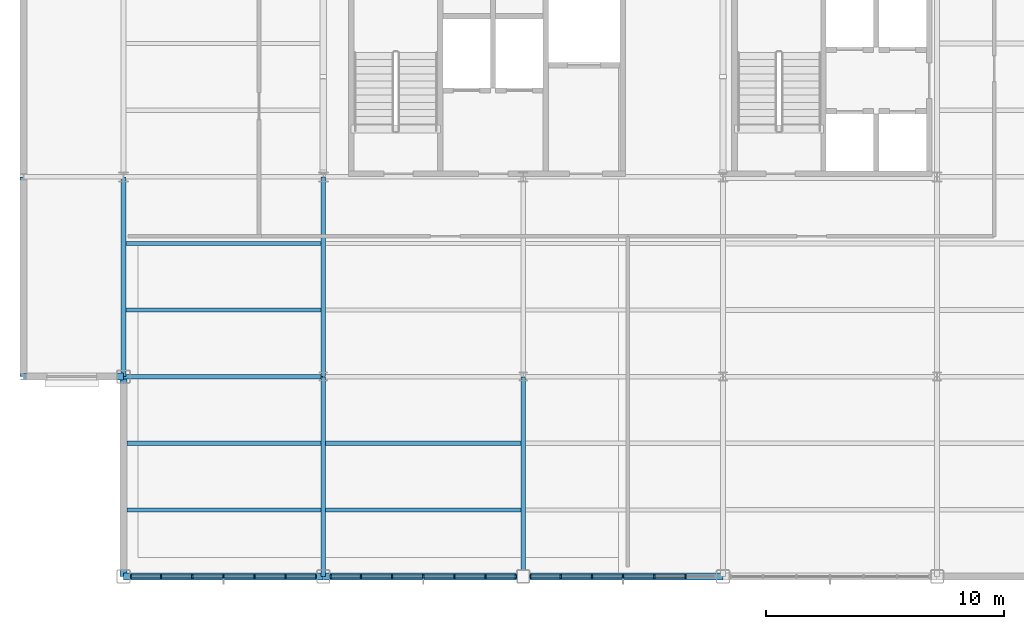
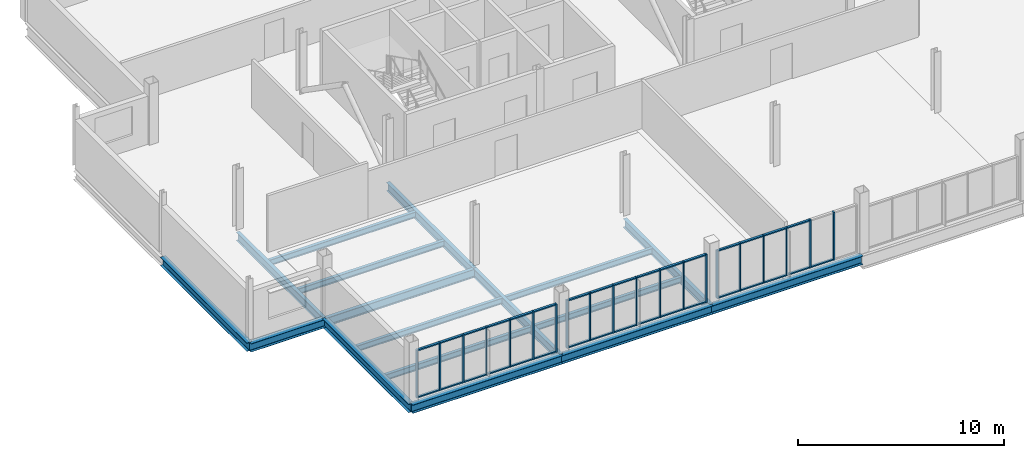
# One storey, part 5 of 18: 53 members, 17 beams, 3 elements without a shape of their own.
"""IFC4 building model written with IfcOpenShell, lengths in metres."""

from ifc_helpers import new_model, si_unit, direction, frame, origin, origin_2d, place, context, subcontext, project, spatial, rectangle, i_section, extrude, material, layer, layer_set, material_profile, profile_set, type_object, element, aggregate, save


model = new_model("IFC4")

# Units and contexts
model_context = context("Model", 3, precision=1e-05, world=origin(), true_north=direction((0.0, 1.0)))
body_context = subcontext(model_context, "Body", "Model", "MODEL_VIEW")
ifc_project = project(units=[si_unit("LENGTHUNIT", "METRE"), si_unit("AREAUNIT", "SQUARE_METRE"), si_unit("VOLUMEUNIT", "CUBIC_METRE"), si_unit("PLANEANGLEUNIT", "RADIAN"), si_unit("MASSUNIT", "GRAM", prefix="KILO")], contexts=[model_context])

# Site, building, storey
site_placement = place(None, origin())
site = spatial("IfcSite", under=ifc_project, at=site_placement, CompositionType="ELEMENT")
building_placement = place(site_placement, origin())
building = spatial("IfcBuilding", under=site, at=building_placement, Name="Yukiwa Park Conservatory and Herbarium", CompositionType="ELEMENT")
storey_placement = place(building_placement, frame((0.0, 0.0, 24.60009765625)))
storey = spatial("IfcBuildingStorey", under=building, at=storey_placement, Name="L06", CompositionType="ELEMENT", Elevation=24.60009765625)

# Beams
ifc_material_1 = material(Name="Steel Q355D", Category="steel")
ifc_material_profile_1 = material_profile(ifc_material_1, i_section(OverallWidth=0.198974609375, OverallDepth=0.49609375, WebThickness=0.009033203125, FlangeThickness=0.013916015625, FilletRadius=0.02001953125, at=origin_2d()), Name="HN 496x199x9x14")
ifc_profile_set_1 = profile_set([ifc_material_profile_1], Name="Steel Q355D")
beam_type_1 = type_object("IfcBeamType", Name="BM-GRD-HN496", PredefinedType="BEAM", material=ifc_profile_set_1)
beam_1_placement = place(storey_placement, frame((124.805908203125, 86.39990234375, -0.498046875), z_axis=(1.0, 0.0, 0.0), x_axis=(0.0, 1.0, 0.0)))
element("IfcBeam", 1, at=beam_1_placement, inside=storey, type_object=beam_type_1, Name="L06 grid beam X-7", PredefinedType="BEAM", context=body_context, shape_type="SweptSolid", body=[
    extrude(i_section(OverallWidth=0.198974609375, OverallDepth=0.49609375, WebThickness=0.009033203125, FlangeThickness=0.013916015625, FilletRadius=0.02001953125, at=origin_2d()), origin(), (0.0, 0.0, 1.0), 8.38818359375),
])
ifc_material_2 = material(Name="Steel Q355D", Category="steel")
ifc_material_profile_2 = material_profile(ifc_material_2, i_section(OverallWidth=0.199951171875, OverallDepth=0.5, WebThickness=0.010009765625, FlangeThickness=0.01611328125, FilletRadius=0.02001953125, at=origin_2d()), Name="HN 500x200x10x16")
ifc_profile_set_2 = profile_set([ifc_material_profile_2], Name="Steel Q355D")
beam_type_2 = type_object("IfcBeamType", Name="BM-GRD-HN500", PredefinedType="BEAM", material=ifc_profile_set_2)
for number, where, z_axis, x_axis, name in (
    (2, (124.800048828125, 86.406005859375, -0.5), (0.0, 1.0, 0.0), (-1.0, 0.0, 0.0), "L06 grid girder Y-32"),
    (3, (133.199951171875, 78.006103515625, -0.5), (0.0, 1.0, 0.0), (-1.0, 0.0, 0.0), "L06 grid girder Y-35"),
    (4, (133.199951171875, 86.406005859375, -0.5), (0.0, 1.0, 0.0), (-1.0, 0.0, 0.0), "L06 grid girder Y-36"),
    (5, (141.60009765625, 78.006103515625, -0.5), (0.0, 1.0, 0.0), (-1.0, 0.0, 0.0), "L06 grid girder Y-39"),
):
    element("IfcBeam", number, at=place(storey_placement, frame(where, z_axis=z_axis, x_axis=x_axis)), inside=storey, type_object=beam_type_2, Name=name, PredefinedType="BEAM", context=body_context, shape_type="SweptSolid", body=[
        extrude(i_section(OverallWidth=0.199951171875, OverallDepth=0.5, WebThickness=0.010009765625, FlangeThickness=0.01611328125, FilletRadius=0.02001953125, at=origin_2d()), origin(), (0.0, 0.0, 1.0), 8.387939453125),
    ])
ifc_material_3 = material(Name="Steel Q355D", Category="steel")
ifc_material_profile_3 = material_profile(ifc_material_3, i_section(OverallWidth=0.174072265625, OverallDepth=0.345947265625, WebThickness=0.006103515625, FlangeThickness=0.009033203125, FilletRadius=0.013916015625, at=origin_2d()), Name="HN 346x174x6x9")
ifc_profile_set_3 = profile_set([ifc_material_profile_3], Name="Steel Q355D")
beam_type_3 = type_object("IfcBeamType", Name="BM-JST-HN346", PredefinedType="JOIST", material=ifc_profile_set_3)
for number, where, z_axis, x_axis, name in (
    (6, (124.946044921875, 80.800048828125, -0.423095703125), (1.0, 0.0, 0.0), (0.0, 1.0, 0.0), "L06 composite floor joist 1"),
    (7, (124.946044921875, 83.60009765625, -0.423095703125), (1.0, 0.0, 0.0), (0.0, 1.0, 0.0), "L06 composite floor joist 2"),
):
    element("IfcBeam", number, at=place(storey_placement, frame(where, z_axis=z_axis, x_axis=x_axis)), inside=storey, type_object=beam_type_3, Name=name, PredefinedType="JOIST", context=body_context, shape_type="SweptSolid", body=[
        extrude(i_section(OverallWidth=0.174072265625, OverallDepth=0.345947265625, WebThickness=0.006103515625, FlangeThickness=0.009033203125, FilletRadius=0.013916015625, at=origin_2d()), origin(), (0.0, 0.0, 1.0), 8.157958984375),
    ])
for number, where, z_axis, x_axis, name in (
    (8, (124.89599609375, 89.199951171875, -0.423095703125), (1.0, 0.0, 0.0), (0.0, 1.0, 0.0), "L06 composite floor joist 3"),
    (9, (124.89599609375, 92.0, -0.423095703125), (1.0, 0.0, 0.0), (0.0, 1.0, 0.0), "L06 composite floor joist 4"),
    (10, (133.2958984375, 80.800048828125, -0.423095703125), (1.0, 0.0, 0.0), (0.0, 1.0, 0.0), "L06 composite floor joist 9"),
    (11, (133.2958984375, 83.60009765625, -0.423095703125), (1.0, 0.0, 0.0), (0.0, 1.0, 0.0), "L06 composite floor joist 10"),
):
    element("IfcBeam", number, at=place(storey_placement, frame(where, z_axis=z_axis, x_axis=x_axis)), inside=storey, type_object=beam_type_3, Name=name, PredefinedType="JOIST", context=body_context, shape_type="SweptSolid", body=[
        extrude(i_section(OverallWidth=0.174072265625, OverallDepth=0.345947265625, WebThickness=0.006103515625, FlangeThickness=0.009033203125, FilletRadius=0.013916015625, at=origin_2d()), origin(), (0.0, 0.0, 1.0), 8.2080078125),
    ])
ifc_material_4 = material(Name="Steel Q355D", Category="steel")
ifc_material_profile_4 = material_profile(ifc_material_4, i_section(OverallWidth=0.300048828125, OverallDepth=0.493896484375, WebThickness=0.010986328125, FlangeThickness=0.014892578125, FilletRadius=0.02392578125, at=origin_2d()), Name="HM 494x300x11x15")
ifc_profile_set_4 = profile_set([ifc_material_profile_4], Name="Steel Q355D")
beam_type_4 = type_object("IfcBeamType", Name="BM-SPN-HN450", PredefinedType="SPANDREL", material=ifc_profile_set_4)
beam_2_placement = place(storey_placement, frame((120.60595703125, 86.39990234375, -0.4970703125), z_axis=(1.0, 0.0, 0.0), x_axis=(0.0, 1.0, 0.0)))
element("IfcBeam", 12, at=beam_2_placement, inside=storey, type_object=beam_type_4, Name="L06 spandrel beam X-6", PredefinedType="SPANDREL", context=body_context, shape_type="SweptSolid", body=[
    extrude(i_section(OverallWidth=0.300048828125, OverallDepth=0.493896484375, WebThickness=0.010986328125, FlangeThickness=0.014892578125, FilletRadius=0.02392578125, at=origin_2d()), origin(), (0.0, 0.0, 1.0), 4.18798828125),
])
ifc_material_5 = material(Name="Steel Q355D", Category="steel")
ifc_material_profile_5 = material_profile(ifc_material_5, i_section(OverallWidth=0.300048828125, OverallDepth=0.5, WebThickness=0.010986328125, FlangeThickness=0.01806640625, FilletRadius=0.02392578125, at=origin_2d()), Name="HM 500x300x11x18")
ifc_profile_set_5 = profile_set([ifc_material_profile_5], Name="Steel Q355D")
beam_type_5 = type_object("IfcBeamType", Name="BM-SPN-HN500", PredefinedType="SPANDREL", material=ifc_profile_set_5)
beam_3_placement = place(storey_placement, frame((124.805908203125, 78.0, -0.5), z_axis=(1.0, 0.0, 0.0), x_axis=(0.0, 1.0, 0.0)))
element("IfcBeam", 13, at=beam_3_placement, inside=storey, type_object=beam_type_5, Name="L06 spandrel beam X-1", PredefinedType="SPANDREL", context=body_context, shape_type="SweptSolid", body=[
    extrude(i_section(OverallWidth=0.300048828125, OverallDepth=0.5, WebThickness=0.010986328125, FlangeThickness=0.01806640625, FilletRadius=0.02392578125, at=origin_2d()), origin(), (0.0, 0.0, 1.0), 8.38818359375),
])
for number, where, z_axis, x_axis, name in (
    (14, (133.2060546875, 78.0, -0.5), (1.0, 0.0, 0.0), (0.0, 1.0, 0.0), "L06 spandrel beam X-2"),
    (15, (141.60595703125, 78.0, -0.5), (1.0, 0.0, 0.0), (0.0, 1.0, 0.0), "L06 spandrel beam X-3"),
    (16, (120.60009765625, 86.406005859375, -0.5), (0.0, 1.0, 0.0), (-1.0, 0.0, 0.0), "L06 spandrel girder Y-29"),
    (17, (124.800048828125, 78.006103515625, -0.5), (0.0, 1.0, 0.0), (-1.0, 0.0, 0.0), "L06 spandrel girder Y-31"),
):
    element("IfcBeam", number, at=place(storey_placement, frame(where, z_axis=z_axis, x_axis=x_axis)), inside=storey, type_object=beam_type_5, Name=name, PredefinedType="SPANDREL", context=body_context, shape_type="SweptSolid", body=[
        extrude(i_section(OverallWidth=0.300048828125, OverallDepth=0.5, WebThickness=0.010986328125, FlangeThickness=0.01806640625, FilletRadius=0.02392578125, at=origin_2d()), origin(), (0.0, 0.0, 1.0), 8.387939453125),
    ])

# Curtain wall, members
ifc_material_6 = material(Name="Triple Low-E Insulated Glass", Category="glass")
ifc_layer = layer(ifc_material_6, 0.248046875)
ifc_layer_set = layer_set([ifc_layer], Name="Triple Low-E Insulated Glass")
curtain_wall_type = type_object("IfcCurtainWallType", Name="CW-TOWER-LAB-S-1400", PredefinedType="NOTDEFINED", material=ifc_layer_set)
curtain_wall_1_placement = place(storey_placement, origin())
curtain_wall_1 = element("IfcCurtainWall", 18, at=curtain_wall_1_placement, inside=storey, type_object=curtain_wall_type, Name="L06 unitised curtain wall CW-L06-082", PredefinedType="NOTDEFINED")
ifc_material_7 = material(Name="Anodised Aluminium", Category="aluminium")
member_type_1 = type_object("IfcMemberType", Name="MB-CW-MUL-70X150", PredefinedType="MULLION", material=ifc_material_7)
member_1_placement = place(storey_placement, frame((125.110107421875, 78.0, 0.0), z_axis=(0.0, 0.0, 1.0), x_axis=(1.0, 0.0, 0.0)))
member_1 = element("IfcMember", 19, at=member_1_placement, type_object=member_type_1, Name="CW-L06-082 mullion 1", PredefinedType="MULLION", context=body_context, shape_type="SweptSolid", body=[
    extrude(rectangle(XDim=0.070068359375, YDim=0.14990234375, at=origin_2d()), origin(), (0.0, 0.0, 1.0), 2.844970703125),
])
member_2_placement = place(storey_placement, frame((126.38330078125, 78.0, 0.0), z_axis=(0.0, 0.0, 1.0), x_axis=(1.0, 0.0, 0.0)))
member_2 = element("IfcMember", 20, at=member_2_placement, type_object=member_type_1, Name="CW-L06-082 mullion 2", PredefinedType="MULLION", context=body_context, shape_type="SweptSolid", body=[
    extrude(rectangle(XDim=0.070068359375, YDim=0.14990234375, at=origin_2d()), origin(), (0.0, 0.0, 1.0), 2.844970703125),
])
member_3_placement = place(storey_placement, frame((127.691650390625, 78.0, 0.0), z_axis=(0.0, 0.0, 1.0), x_axis=(1.0, 0.0, 0.0)))
member_3 = element("IfcMember", 21, at=member_3_placement, type_object=member_type_1, Name="CW-L06-082 mullion 3", PredefinedType="MULLION", context=body_context, shape_type="SweptSolid", body=[
    extrude(rectangle(XDim=0.070068359375, YDim=0.14990234375, at=origin_2d()), origin(), (0.0, 0.0, 1.0), 2.844970703125),
])
member_4_placement = place(storey_placement, frame((129.0, 78.0, 0.0), z_axis=(0.0, 0.0, 1.0), x_axis=(1.0, 0.0, 0.0)))
member_4 = element("IfcMember", 22, at=member_4_placement, type_object=member_type_1, Name="CW-L06-082 mullion 4", PredefinedType="MULLION", context=body_context, shape_type="SweptSolid", body=[
    extrude(rectangle(XDim=0.070068359375, YDim=0.14990234375, at=origin_2d()), origin(), (0.0, 0.0, 1.0), 2.844970703125),
])
member_5_placement = place(storey_placement, frame((130.308349609375, 78.0, 0.0), z_axis=(0.0, 0.0, 1.0), x_axis=(1.0, 0.0, 0.0)))
member_5 = element("IfcMember", 23, at=member_5_placement, type_object=member_type_1, Name="CW-L06-082 mullion 5", PredefinedType="MULLION", context=body_context, shape_type="SweptSolid", body=[
    extrude(rectangle(XDim=0.070068359375, YDim=0.14990234375, at=origin_2d()), origin(), (0.0, 0.0, 1.0), 2.844970703125),
])
member_6_placement = place(storey_placement, frame((131.61669921875, 78.0, 0.0), z_axis=(0.0, 0.0, 1.0), x_axis=(1.0, 0.0, 0.0)))
member_6 = element("IfcMember", 24, at=member_6_placement, type_object=member_type_1, Name="CW-L06-082 mullion 6", PredefinedType="MULLION", context=body_context, shape_type="SweptSolid", body=[
    extrude(rectangle(XDim=0.070068359375, YDim=0.14990234375, at=origin_2d()), origin(), (0.0, 0.0, 1.0), 2.844970703125),
])
member_7_placement = place(storey_placement, frame((132.889892578125, 78.0, 0.0), z_axis=(0.0, 0.0, 1.0), x_axis=(1.0, 0.0, 0.0)))
member_7 = element("IfcMember", 25, at=member_7_placement, type_object=member_type_1, Name="CW-L06-082 mullion 7", PredefinedType="MULLION", context=body_context, shape_type="SweptSolid", body=[
    extrude(rectangle(XDim=0.070068359375, YDim=0.14990234375, at=origin_2d()), origin(), (0.0, 0.0, 1.0), 2.844970703125),
])

curtain_wall_2_placement = place(storey_placement, origin())
curtain_wall_2 = element("IfcCurtainWall", 26, at=curtain_wall_2_placement, inside=storey, type_object=curtain_wall_type, Name="L06 unitised curtain wall CW-L06-083", PredefinedType="NOTDEFINED")
member_8_placement = place(storey_placement, frame((133.510009765625, 78.0, 0.0), z_axis=(0.0, 0.0, 1.0), x_axis=(1.0, 0.0, 0.0)))
member_8 = element("IfcMember", 27, at=member_8_placement, type_object=member_type_1, Name="CW-L06-083 mullion 1", PredefinedType="MULLION", context=body_context, shape_type="SweptSolid", body=[
    extrude(rectangle(XDim=0.070068359375, YDim=0.14990234375, at=origin_2d()), origin(), (0.0, 0.0, 1.0), 2.844970703125),
])
member_9_placement = place(storey_placement, frame((134.783203125, 78.0, 0.0), z_axis=(0.0, 0.0, 1.0), x_axis=(1.0, 0.0, 0.0)))
member_9 = element("IfcMember", 28, at=member_9_placement, type_object=member_type_1, Name="CW-L06-083 mullion 2", PredefinedType="MULLION", context=body_context, shape_type="SweptSolid", body=[
    extrude(rectangle(XDim=0.070068359375, YDim=0.14990234375, at=origin_2d()), origin(), (0.0, 0.0, 1.0), 2.844970703125),
])
member_10_placement = place(storey_placement, frame((136.091796875, 78.0, 0.0), z_axis=(0.0, 0.0, 1.0), x_axis=(1.0, 0.0, 0.0)))
member_10 = element("IfcMember", 29, at=member_10_placement, type_object=member_type_1, Name="CW-L06-083 mullion 3", PredefinedType="MULLION", context=body_context, shape_type="SweptSolid", body=[
    extrude(rectangle(XDim=0.070068359375, YDim=0.14990234375, at=origin_2d()), origin(), (0.0, 0.0, 1.0), 2.844970703125),
])
member_11_placement = place(storey_placement, frame((137.39990234375, 78.0, 0.0), z_axis=(0.0, 0.0, 1.0), x_axis=(1.0, 0.0, 0.0)))
member_11 = element("IfcMember", 30, at=member_11_placement, type_object=member_type_1, Name="CW-L06-083 mullion 4", PredefinedType="MULLION", context=body_context, shape_type="SweptSolid", body=[
    extrude(rectangle(XDim=0.070068359375, YDim=0.14990234375, at=origin_2d()), origin(), (0.0, 0.0, 1.0), 2.844970703125),
])
member_12_placement = place(storey_placement, frame((138.708251953125, 78.0, 0.0), z_axis=(0.0, 0.0, 1.0), x_axis=(1.0, 0.0, 0.0)))
member_12 = element("IfcMember", 31, at=member_12_placement, type_object=member_type_1, Name="CW-L06-083 mullion 5", PredefinedType="MULLION", context=body_context, shape_type="SweptSolid", body=[
    extrude(rectangle(XDim=0.070068359375, YDim=0.14990234375, at=origin_2d()), origin(), (0.0, 0.0, 1.0), 2.844970703125),
])
member_13_placement = place(storey_placement, frame((140.0166015625, 78.0, 0.0), z_axis=(0.0, 0.0, 1.0), x_axis=(1.0, 0.0, 0.0)))
member_13 = element("IfcMember", 32, at=member_13_placement, type_object=member_type_1, Name="CW-L06-083 mullion 6", PredefinedType="MULLION", context=body_context, shape_type="SweptSolid", body=[
    extrude(rectangle(XDim=0.070068359375, YDim=0.14990234375, at=origin_2d()), origin(), (0.0, 0.0, 1.0), 2.844970703125),
])
member_14_placement = place(storey_placement, frame((141.2900390625, 78.0, 0.0), z_axis=(0.0, 0.0, 1.0), x_axis=(1.0, 0.0, 0.0)))
member_14 = element("IfcMember", 33, at=member_14_placement, type_object=member_type_1, Name="CW-L06-083 mullion 7", PredefinedType="MULLION", context=body_context, shape_type="SweptSolid", body=[
    extrude(rectangle(XDim=0.070068359375, YDim=0.14990234375, at=origin_2d()), origin(), (0.0, 0.0, 1.0), 2.844970703125),
])

curtain_wall_3_placement = place(storey_placement, origin())
curtain_wall_3 = element("IfcCurtainWall", 34, at=curtain_wall_3_placement, inside=storey, type_object=curtain_wall_type, Name="L06 unitised curtain wall CW-L06-084", PredefinedType="NOTDEFINED")
member_15_placement = place(storey_placement, frame((141.909912109375, 78.0, 0.0), z_axis=(0.0, 0.0, 1.0), x_axis=(1.0, 0.0, 0.0)))
member_15 = element("IfcMember", 35, at=member_15_placement, type_object=member_type_1, Name="CW-L06-084 mullion 1", PredefinedType="MULLION", context=body_context, shape_type="SweptSolid", body=[
    extrude(rectangle(XDim=0.070068359375, YDim=0.14990234375, at=origin_2d()), origin(), (0.0, 0.0, 1.0), 2.844970703125),
])
member_16_placement = place(storey_placement, frame((143.183349609375, 78.0, 0.0), z_axis=(0.0, 0.0, 1.0), x_axis=(1.0, 0.0, 0.0)))
member_16 = element("IfcMember", 36, at=member_16_placement, type_object=member_type_1, Name="CW-L06-084 mullion 2", PredefinedType="MULLION", context=body_context, shape_type="SweptSolid", body=[
    extrude(rectangle(XDim=0.070068359375, YDim=0.14990234375, at=origin_2d()), origin(), (0.0, 0.0, 1.0), 2.844970703125),
])
member_17_placement = place(storey_placement, frame((144.49169921875, 78.0, 0.0), z_axis=(0.0, 0.0, 1.0), x_axis=(1.0, 0.0, 0.0)))
member_17 = element("IfcMember", 37, at=member_17_placement, type_object=member_type_1, Name="CW-L06-084 mullion 3", PredefinedType="MULLION", context=body_context, shape_type="SweptSolid", body=[
    extrude(rectangle(XDim=0.070068359375, YDim=0.14990234375, at=origin_2d()), origin(), (0.0, 0.0, 1.0), 2.844970703125),
])
member_18_placement = place(storey_placement, frame((145.800048828125, 78.0, 0.0), z_axis=(0.0, 0.0, 1.0), x_axis=(1.0, 0.0, 0.0)))
member_18 = element("IfcMember", 38, at=member_18_placement, type_object=member_type_1, Name="CW-L06-084 mullion 4", PredefinedType="MULLION", context=body_context, shape_type="SweptSolid", body=[
    extrude(rectangle(XDim=0.070068359375, YDim=0.14990234375, at=origin_2d()), origin(), (0.0, 0.0, 1.0), 2.844970703125),
])
member_19_placement = place(storey_placement, frame((147.1083984375, 78.0, 0.0), z_axis=(0.0, 0.0, 1.0), x_axis=(1.0, 0.0, 0.0)))
member_19 = element("IfcMember", 39, at=member_19_placement, type_object=member_type_1, Name="CW-L06-084 mullion 5", PredefinedType="MULLION", context=body_context, shape_type="SweptSolid", body=[
    extrude(rectangle(XDim=0.070068359375, YDim=0.14990234375, at=origin_2d()), origin(), (0.0, 0.0, 1.0), 2.844970703125),
])
member_20_placement = place(storey_placement, frame((148.416748046875, 78.0, 0.0), z_axis=(0.0, 0.0, 1.0), x_axis=(1.0, 0.0, 0.0)))
member_20 = element("IfcMember", 40, at=member_20_placement, type_object=member_type_1, Name="CW-L06-084 mullion 6", PredefinedType="MULLION", context=body_context, shape_type="SweptSolid", body=[
    extrude(rectangle(XDim=0.070068359375, YDim=0.14990234375, at=origin_2d()), origin(), (0.0, 0.0, 1.0), 2.844970703125),
])

# Member
ifc_material_8 = material(Name="Anodised Aluminium", Category="aluminium")
member_type_2 = type_object("IfcMemberType", Name="MB-CW-TRN-70X130", PredefinedType="USERDEFINED", material=ifc_material_8)
member_21_placement = place(storey_placement, frame((125.729248046875, 78.0, 0.0), z_axis=(0.0, 0.0, 1.0), x_axis=(1.0, 0.0, 0.0)))
member_21 = element("IfcMember", 41, at=member_21_placement, type_object=member_type_2, Name="CW-L06-082 transom 1.1", ObjectType="TRANSOM", PredefinedType="USERDEFINED", context=body_context, shape_type="SweptSolid", body=[
    extrude(rectangle(XDim=1.23828125, YDim=0.1298828125, at=origin_2d()), origin(), (0.0, 0.0, 1.0), 0.070068359375),
])

member_22_placement = place(storey_placement, frame((125.729248046875, 78.0, 2.77490234375), z_axis=(0.0, 0.0, 1.0), x_axis=(1.0, 0.0, 0.0)))
member_22 = element("IfcMember", 42, at=member_22_placement, type_object=member_type_2, Name="CW-L06-082 transom 1.2", ObjectType="TRANSOM", PredefinedType="USERDEFINED", context=body_context, shape_type="SweptSolid", body=[
    extrude(rectangle(XDim=1.23828125, YDim=0.1298828125, at=origin_2d()), origin(), (0.0, 0.0, 1.0), 0.070068359375),
])

member_23_placement = place(storey_placement, frame((127.03759765625, 78.0, 0.0), z_axis=(0.0, 0.0, 1.0), x_axis=(1.0, 0.0, 0.0)))
member_23 = element("IfcMember", 43, at=member_23_placement, type_object=member_type_2, Name="CW-L06-082 transom 2.1", ObjectType="TRANSOM", PredefinedType="USERDEFINED", context=body_context, shape_type="SweptSolid", body=[
    extrude(rectangle(XDim=1.23828125, YDim=0.1298828125, at=origin_2d()), origin(), (0.0, 0.0, 1.0), 0.070068359375),
])

member_24_placement = place(storey_placement, frame((127.03759765625, 78.0, 2.77490234375), z_axis=(0.0, 0.0, 1.0), x_axis=(1.0, 0.0, 0.0)))
member_24 = element("IfcMember", 44, at=member_24_placement, type_object=member_type_2, Name="CW-L06-082 transom 2.2", ObjectType="TRANSOM", PredefinedType="USERDEFINED", context=body_context, shape_type="SweptSolid", body=[
    extrude(rectangle(XDim=1.23828125, YDim=0.1298828125, at=origin_2d()), origin(), (0.0, 0.0, 1.0), 0.070068359375),
])

member_25_placement = place(storey_placement, frame((128.345703125, 78.0, 0.0), z_axis=(0.0, 0.0, 1.0), x_axis=(1.0, 0.0, 0.0)))
member_25 = element("IfcMember", 45, at=member_25_placement, type_object=member_type_2, Name="CW-L06-082 transom 3.1", ObjectType="TRANSOM", PredefinedType="USERDEFINED", context=body_context, shape_type="SweptSolid", body=[
    extrude(rectangle(XDim=1.23828125, YDim=0.1298828125, at=origin_2d()), origin(), (0.0, 0.0, 1.0), 0.070068359375),
])

member_26_placement = place(storey_placement, frame((128.345703125, 78.0, 2.77490234375), z_axis=(0.0, 0.0, 1.0), x_axis=(1.0, 0.0, 0.0)))
member_26 = element("IfcMember", 46, at=member_26_placement, type_object=member_type_2, Name="CW-L06-082 transom 3.2", ObjectType="TRANSOM", PredefinedType="USERDEFINED", context=body_context, shape_type="SweptSolid", body=[
    extrude(rectangle(XDim=1.23828125, YDim=0.1298828125, at=origin_2d()), origin(), (0.0, 0.0, 1.0), 0.070068359375),
])

member_27_placement = place(storey_placement, frame((129.654296875, 78.0, 0.0), z_axis=(0.0, 0.0, 1.0), x_axis=(1.0, 0.0, 0.0)))
member_27 = element("IfcMember", 47, at=member_27_placement, type_object=member_type_2, Name="CW-L06-082 transom 4.1", ObjectType="TRANSOM", PredefinedType="USERDEFINED", context=body_context, shape_type="SweptSolid", body=[
    extrude(rectangle(XDim=1.23828125, YDim=0.1298828125, at=origin_2d()), origin(), (0.0, 0.0, 1.0), 0.070068359375),
])

member_28_placement = place(storey_placement, frame((129.654296875, 78.0, 2.77490234375), z_axis=(0.0, 0.0, 1.0), x_axis=(1.0, 0.0, 0.0)))
member_28 = element("IfcMember", 48, at=member_28_placement, type_object=member_type_2, Name="CW-L06-082 transom 4.2", ObjectType="TRANSOM", PredefinedType="USERDEFINED", context=body_context, shape_type="SweptSolid", body=[
    extrude(rectangle(XDim=1.23828125, YDim=0.1298828125, at=origin_2d()), origin(), (0.0, 0.0, 1.0), 0.070068359375),
])

member_29_placement = place(storey_placement, frame((130.96240234375, 78.0, 0.0), z_axis=(0.0, 0.0, 1.0), x_axis=(1.0, 0.0, 0.0)))
member_29 = element("IfcMember", 49, at=member_29_placement, type_object=member_type_2, Name="CW-L06-082 transom 5.1", ObjectType="TRANSOM", PredefinedType="USERDEFINED", context=body_context, shape_type="SweptSolid", body=[
    extrude(rectangle(XDim=1.23828125, YDim=0.1298828125, at=origin_2d()), origin(), (0.0, 0.0, 1.0), 0.070068359375),
])

member_30_placement = place(storey_placement, frame((130.96240234375, 78.0, 2.77490234375), z_axis=(0.0, 0.0, 1.0), x_axis=(1.0, 0.0, 0.0)))
member_30 = element("IfcMember", 50, at=member_30_placement, type_object=member_type_2, Name="CW-L06-082 transom 5.2", ObjectType="TRANSOM", PredefinedType="USERDEFINED", context=body_context, shape_type="SweptSolid", body=[
    extrude(rectangle(XDim=1.23828125, YDim=0.1298828125, at=origin_2d()), origin(), (0.0, 0.0, 1.0), 0.070068359375),
])

member_31_placement = place(storey_placement, frame((132.270751953125, 78.0, 0.0), z_axis=(0.0, 0.0, 1.0), x_axis=(1.0, 0.0, 0.0)))
member_31 = element("IfcMember", 51, at=member_31_placement, type_object=member_type_2, Name="CW-L06-082 transom 6.1", ObjectType="TRANSOM", PredefinedType="USERDEFINED", context=body_context, shape_type="SweptSolid", body=[
    extrude(rectangle(XDim=1.23828125, YDim=0.1298828125, at=origin_2d()), origin(), (0.0, 0.0, 1.0), 0.070068359375),
])

member_32_placement = place(storey_placement, frame((132.270751953125, 78.0, 2.77490234375), z_axis=(0.0, 0.0, 1.0), x_axis=(1.0, 0.0, 0.0)))
member_32 = element("IfcMember", 52, at=member_32_placement, type_object=member_type_2, Name="CW-L06-082 transom 6.2", ObjectType="TRANSOM", PredefinedType="USERDEFINED", context=body_context, shape_type="SweptSolid", body=[
    extrude(rectangle(XDim=1.23828125, YDim=0.1298828125, at=origin_2d()), origin(), (0.0, 0.0, 1.0), 0.070068359375),
])

aggregate(curtain_wall_1, [member_1, member_2, member_3, member_4, member_5, member_6, member_7, member_21, member_22, member_23, member_24, member_25, member_26, member_27, member_28, member_29, member_30, member_31, member_32])

member_33_placement = place(storey_placement, frame((134.129150390625, 78.0, 0.0), z_axis=(0.0, 0.0, 1.0), x_axis=(1.0, 0.0, 0.0)))
member_33 = element("IfcMember", 53, at=member_33_placement, type_object=member_type_2, Name="CW-L06-083 transom 1.1", ObjectType="TRANSOM", PredefinedType="USERDEFINED", context=body_context, shape_type="SweptSolid", body=[
    extrude(rectangle(XDim=1.23828125, YDim=0.1298828125, at=origin_2d()), origin(), (0.0, 0.0, 1.0), 0.070068359375),
])

member_34_placement = place(storey_placement, frame((134.129150390625, 78.0, 2.77490234375), z_axis=(0.0, 0.0, 1.0), x_axis=(1.0, 0.0, 0.0)))
member_34 = element("IfcMember", 54, at=member_34_placement, type_object=member_type_2, Name="CW-L06-083 transom 1.2", ObjectType="TRANSOM", PredefinedType="USERDEFINED", context=body_context, shape_type="SweptSolid", body=[
    extrude(rectangle(XDim=1.23828125, YDim=0.1298828125, at=origin_2d()), origin(), (0.0, 0.0, 1.0), 0.070068359375),
])

member_35_placement = place(storey_placement, frame((135.4375, 78.0, 0.0), z_axis=(0.0, 0.0, 1.0), x_axis=(1.0, 0.0, 0.0)))
member_35 = element("IfcMember", 55, at=member_35_placement, type_object=member_type_2, Name="CW-L06-083 transom 2.1", ObjectType="TRANSOM", PredefinedType="USERDEFINED", context=body_context, shape_type="SweptSolid", body=[
    extrude(rectangle(XDim=1.23828125, YDim=0.1298828125, at=origin_2d()), origin(), (0.0, 0.0, 1.0), 0.070068359375),
])

member_36_placement = place(storey_placement, frame((135.4375, 78.0, 2.77490234375), z_axis=(0.0, 0.0, 1.0), x_axis=(1.0, 0.0, 0.0)))
member_36 = element("IfcMember", 56, at=member_36_placement, type_object=member_type_2, Name="CW-L06-083 transom 2.2", ObjectType="TRANSOM", PredefinedType="USERDEFINED", context=body_context, shape_type="SweptSolid", body=[
    extrude(rectangle(XDim=1.23828125, YDim=0.1298828125, at=origin_2d()), origin(), (0.0, 0.0, 1.0), 0.070068359375),
])

member_37_placement = place(storey_placement, frame((136.745849609375, 78.0, 0.0), z_axis=(0.0, 0.0, 1.0), x_axis=(1.0, 0.0, 0.0)))
member_37 = element("IfcMember", 57, at=member_37_placement, type_object=member_type_2, Name="CW-L06-083 transom 3.1", ObjectType="TRANSOM", PredefinedType="USERDEFINED", context=body_context, shape_type="SweptSolid", body=[
    extrude(rectangle(XDim=1.23828125, YDim=0.1298828125, at=origin_2d()), origin(), (0.0, 0.0, 1.0), 0.070068359375),
])

member_38_placement = place(storey_placement, frame((136.745849609375, 78.0, 2.77490234375), z_axis=(0.0, 0.0, 1.0), x_axis=(1.0, 0.0, 0.0)))
member_38 = element("IfcMember", 58, at=member_38_placement, type_object=member_type_2, Name="CW-L06-083 transom 3.2", ObjectType="TRANSOM", PredefinedType="USERDEFINED", context=body_context, shape_type="SweptSolid", body=[
    extrude(rectangle(XDim=1.23828125, YDim=0.1298828125, at=origin_2d()), origin(), (0.0, 0.0, 1.0), 0.070068359375),
])

member_39_placement = place(storey_placement, frame((138.05419921875, 78.0, 0.0), z_axis=(0.0, 0.0, 1.0), x_axis=(1.0, 0.0, 0.0)))
member_39 = element("IfcMember", 59, at=member_39_placement, type_object=member_type_2, Name="CW-L06-083 transom 4.1", ObjectType="TRANSOM", PredefinedType="USERDEFINED", context=body_context, shape_type="SweptSolid", body=[
    extrude(rectangle(XDim=1.23828125, YDim=0.1298828125, at=origin_2d()), origin(), (0.0, 0.0, 1.0), 0.070068359375),
])

member_40_placement = place(storey_placement, frame((138.05419921875, 78.0, 2.77490234375), z_axis=(0.0, 0.0, 1.0), x_axis=(1.0, 0.0, 0.0)))
member_40 = element("IfcMember", 60, at=member_40_placement, type_object=member_type_2, Name="CW-L06-083 transom 4.2", ObjectType="TRANSOM", PredefinedType="USERDEFINED", context=body_context, shape_type="SweptSolid", body=[
    extrude(rectangle(XDim=1.23828125, YDim=0.1298828125, at=origin_2d()), origin(), (0.0, 0.0, 1.0), 0.070068359375),
])

member_41_placement = place(storey_placement, frame((139.362548828125, 78.0, 0.0), z_axis=(0.0, 0.0, 1.0), x_axis=(1.0, 0.0, 0.0)))
member_41 = element("IfcMember", 61, at=member_41_placement, type_object=member_type_2, Name="CW-L06-083 transom 5.1", ObjectType="TRANSOM", PredefinedType="USERDEFINED", context=body_context, shape_type="SweptSolid", body=[
    extrude(rectangle(XDim=1.23828125, YDim=0.1298828125, at=origin_2d()), origin(), (0.0, 0.0, 1.0), 0.070068359375),
])

member_42_placement = place(storey_placement, frame((139.362548828125, 78.0, 2.77490234375), z_axis=(0.0, 0.0, 1.0), x_axis=(1.0, 0.0, 0.0)))
member_42 = element("IfcMember", 62, at=member_42_placement, type_object=member_type_2, Name="CW-L06-083 transom 5.2", ObjectType="TRANSOM", PredefinedType="USERDEFINED", context=body_context, shape_type="SweptSolid", body=[
    extrude(rectangle(XDim=1.23828125, YDim=0.1298828125, at=origin_2d()), origin(), (0.0, 0.0, 1.0), 0.070068359375),
])

member_43_placement = place(storey_placement, frame((140.6708984375, 78.0, 0.0), z_axis=(0.0, 0.0, 1.0), x_axis=(1.0, 0.0, 0.0)))
member_43 = element("IfcMember", 63, at=member_43_placement, type_object=member_type_2, Name="CW-L06-083 transom 6.1", ObjectType="TRANSOM", PredefinedType="USERDEFINED", context=body_context, shape_type="SweptSolid", body=[
    extrude(rectangle(XDim=1.23828125, YDim=0.1298828125, at=origin_2d()), origin(), (0.0, 0.0, 1.0), 0.070068359375),
])

member_44_placement = place(storey_placement, frame((140.6708984375, 78.0, 2.77490234375), z_axis=(0.0, 0.0, 1.0), x_axis=(1.0, 0.0, 0.0)))
member_44 = element("IfcMember", 64, at=member_44_placement, type_object=member_type_2, Name="CW-L06-083 transom 6.2", ObjectType="TRANSOM", PredefinedType="USERDEFINED", context=body_context, shape_type="SweptSolid", body=[
    extrude(rectangle(XDim=1.23828125, YDim=0.1298828125, at=origin_2d()), origin(), (0.0, 0.0, 1.0), 0.070068359375),
])

aggregate(curtain_wall_2, [member_8, member_9, member_10, member_11, member_12, member_13, member_14, member_33, member_34, member_35, member_36, member_37, member_38, member_39, member_40, member_41, member_42, member_43, member_44])

member_45_placement = place(storey_placement, frame((142.529296875, 78.0, 0.0), z_axis=(0.0, 0.0, 1.0), x_axis=(1.0, 0.0, 0.0)))
member_45 = element("IfcMember", 65, at=member_45_placement, type_object=member_type_2, Name="CW-L06-084 transom 1.1", ObjectType="TRANSOM", PredefinedType="USERDEFINED", context=body_context, shape_type="SweptSolid", body=[
    extrude(rectangle(XDim=1.23828125, YDim=0.1298828125, at=origin_2d()), origin(), (0.0, 0.0, 1.0), 0.070068359375),
])

member_46_placement = place(storey_placement, frame((142.529296875, 78.0, 2.77490234375), z_axis=(0.0, 0.0, 1.0), x_axis=(1.0, 0.0, 0.0)))
member_46 = element("IfcMember", 66, at=member_46_placement, type_object=member_type_2, Name="CW-L06-084 transom 1.2", ObjectType="TRANSOM", PredefinedType="USERDEFINED", context=body_context, shape_type="SweptSolid", body=[
    extrude(rectangle(XDim=1.23828125, YDim=0.1298828125, at=origin_2d()), origin(), (0.0, 0.0, 1.0), 0.070068359375),
])

member_47_placement = place(storey_placement, frame((143.83740234375, 78.0, 0.0), z_axis=(0.0, 0.0, 1.0), x_axis=(1.0, 0.0, 0.0)))
member_47 = element("IfcMember", 67, at=member_47_placement, type_object=member_type_2, Name="CW-L06-084 transom 2.1", ObjectType="TRANSOM", PredefinedType="USERDEFINED", context=body_context, shape_type="SweptSolid", body=[
    extrude(rectangle(XDim=1.23828125, YDim=0.1298828125, at=origin_2d()), origin(), (0.0, 0.0, 1.0), 0.070068359375),
])

member_48_placement = place(storey_placement, frame((143.83740234375, 78.0, 2.77490234375), z_axis=(0.0, 0.0, 1.0), x_axis=(1.0, 0.0, 0.0)))
member_48 = element("IfcMember", 68, at=member_48_placement, type_object=member_type_2, Name="CW-L06-084 transom 2.2", ObjectType="TRANSOM", PredefinedType="USERDEFINED", context=body_context, shape_type="SweptSolid", body=[
    extrude(rectangle(XDim=1.23828125, YDim=0.1298828125, at=origin_2d()), origin(), (0.0, 0.0, 1.0), 0.070068359375),
])

member_49_placement = place(storey_placement, frame((145.145751953125, 78.0, 0.0), z_axis=(0.0, 0.0, 1.0), x_axis=(1.0, 0.0, 0.0)))
member_49 = element("IfcMember", 69, at=member_49_placement, type_object=member_type_2, Name="CW-L06-084 transom 3.1", ObjectType="TRANSOM", PredefinedType="USERDEFINED", context=body_context, shape_type="SweptSolid", body=[
    extrude(rectangle(XDim=1.23828125, YDim=0.1298828125, at=origin_2d()), origin(), (0.0, 0.0, 1.0), 0.070068359375),
])

member_50_placement = place(storey_placement, frame((145.145751953125, 78.0, 2.77490234375), z_axis=(0.0, 0.0, 1.0), x_axis=(1.0, 0.0, 0.0)))
member_50 = element("IfcMember", 70, at=member_50_placement, type_object=member_type_2, Name="CW-L06-084 transom 3.2", ObjectType="TRANSOM", PredefinedType="USERDEFINED", context=body_context, shape_type="SweptSolid", body=[
    extrude(rectangle(XDim=1.23828125, YDim=0.1298828125, at=origin_2d()), origin(), (0.0, 0.0, 1.0), 0.070068359375),
])

member_51_placement = place(storey_placement, frame((146.4541015625, 78.0, 0.0), z_axis=(0.0, 0.0, 1.0), x_axis=(1.0, 0.0, 0.0)))
member_51 = element("IfcMember", 71, at=member_51_placement, type_object=member_type_2, Name="CW-L06-084 transom 4.1", ObjectType="TRANSOM", PredefinedType="USERDEFINED", context=body_context, shape_type="SweptSolid", body=[
    extrude(rectangle(XDim=1.23828125, YDim=0.1298828125, at=origin_2d()), origin(), (0.0, 0.0, 1.0), 0.070068359375),
])

member_52_placement = place(storey_placement, frame((146.4541015625, 78.0, 2.77490234375), z_axis=(0.0, 0.0, 1.0), x_axis=(1.0, 0.0, 0.0)))
member_52 = element("IfcMember", 72, at=member_52_placement, type_object=member_type_2, Name="CW-L06-084 transom 4.2", ObjectType="TRANSOM", PredefinedType="USERDEFINED", context=body_context, shape_type="SweptSolid", body=[
    extrude(rectangle(XDim=1.23828125, YDim=0.1298828125, at=origin_2d()), origin(), (0.0, 0.0, 1.0), 0.070068359375),
])

member_53_placement = place(storey_placement, frame((147.762451171875, 78.0, 0.0), z_axis=(0.0, 0.0, 1.0), x_axis=(1.0, 0.0, 0.0)))
member_53 = element("IfcMember", 73, at=member_53_placement, type_object=member_type_2, Name="CW-L06-084 transom 5.1", ObjectType="TRANSOM", PredefinedType="USERDEFINED", context=body_context, shape_type="SweptSolid", body=[
    extrude(rectangle(XDim=1.23828125, YDim=0.1298828125, at=origin_2d()), origin(), (0.0, 0.0, 1.0), 0.070068359375),
])

aggregate(curtain_wall_3, [member_15, member_16, member_17, member_18, member_19, member_20, member_45, member_46, member_47, member_48, member_49, member_50, member_51, member_52, member_53])

save(model, "model.ifc")
